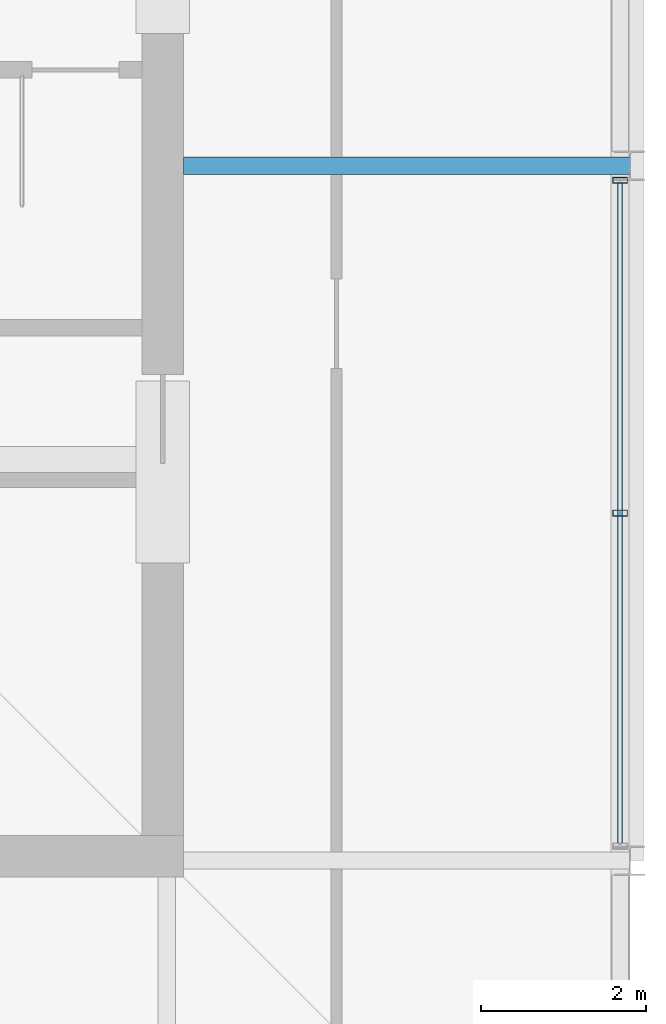
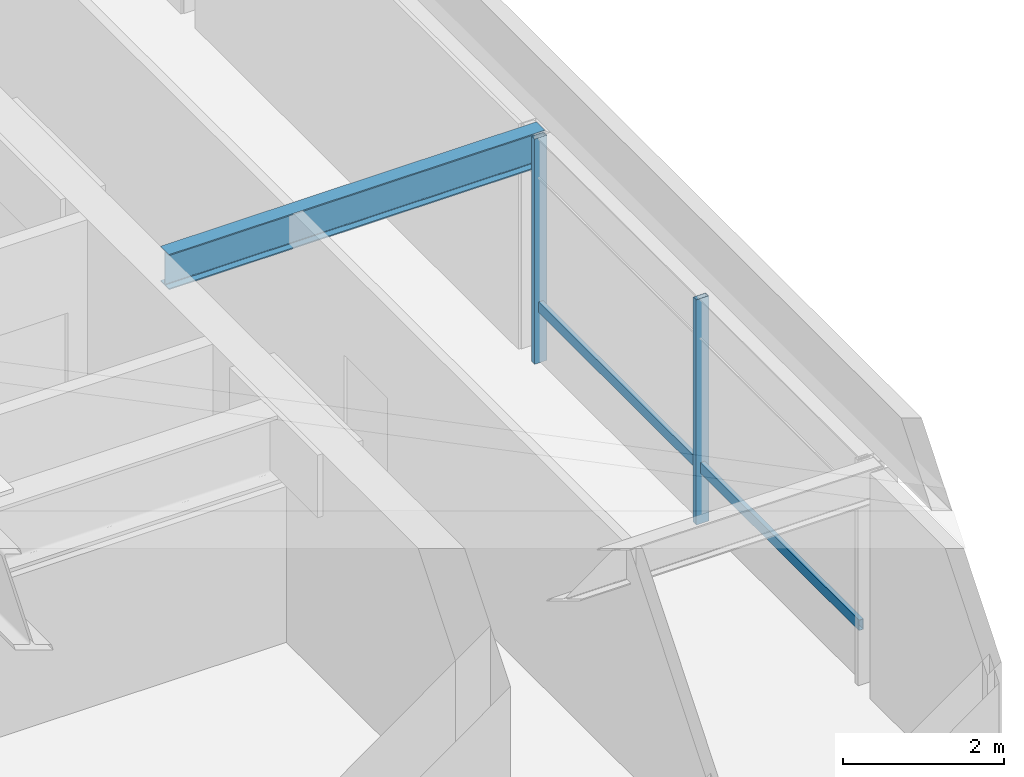
# One storey, part 8 of 13: 3 members, 1 beam, 1 element without a shape of its own.
"""IFC4 building model written with IfcOpenShell, lengths in metres."""

from ifc_helpers import new_model, si_unit, direction, frame, origin, origin_2d, place, context, subcontext, project, spatial, hollow_rectangle, i_section, extrude, material, layer, layer_set, material_profile, profile_set, type_object, element, aggregate, save


model = new_model("IFC4")

# Units and contexts
model_context = context("Model", 3, precision=1e-05, world=origin(), true_north=direction((0.0, 1.0)))
body_context = subcontext(model_context, "Body", "Model", "MODEL_VIEW")
ifc_project = project(units=[si_unit("LENGTHUNIT", "METRE"), si_unit("AREAUNIT", "SQUARE_METRE"), si_unit("VOLUMEUNIT", "CUBIC_METRE"), si_unit("PLANEANGLEUNIT", "RADIAN"), si_unit("MASSUNIT", "GRAM", prefix="KILO")], contexts=[model_context])

# Site, building, storey
site_placement = place(None, origin())
site = spatial("IfcSite", under=ifc_project, at=site_placement, CompositionType="ELEMENT")
building_placement = place(site_placement, origin())
building = spatial("IfcBuilding", under=site, at=building_placement, Name="Drelvath Grand Hotel", CompositionType="ELEMENT")
storey_placement = place(building_placement, frame((0.0, 0.0, 323.199951171875)))
storey = spatial("IfcBuildingStorey", under=building, at=storey_placement, Name="L84", CompositionType="ELEMENT", Elevation=323.199951171875)

# Curtain wall, members
ifc_material_1 = material(Name="Pale-Metal Anodised Aluminium Crown Frame", Category="aluminium")
ifc_layer = layer(ifc_material_1, 0.199951171875)
ifc_layer_set = layer_set([ifc_layer], Name="Pale-Metal Anodised Aluminium Crown Frame")
curtain_wall_type = type_object("IfcCurtainWallType", Name="Stick Curtain Wall CW-06 Pale-Metal Crown Clerestory", PredefinedType="NOTDEFINED", material=ifc_layer_set)
curtain_wall_placement = place(storey_placement, origin())
curtain_wall = element("IfcCurtainWall", 1, at=curtain_wall_placement, inside=storey, type_object=curtain_wall_type, Name="L84 CW-06 Curtain Wall CW06-L84-E", PredefinedType="NOTDEFINED")
ifc_material_profile_1 = material_profile(ifc_material_1, hollow_rectangle(XDim=0.06494140625, YDim=0.159912109375, WallThickness=0.00390625, at=origin_2d()), Name="HSS160X65X4")
ifc_profile_set_1 = profile_set([ifc_material_profile_1], Name="Pale-Metal Anodised Aluminium Crown Frame")
member_type_1 = type_object("IfcMemberType", Name="Curtain Wall Horizontal Transom CW-06 HSS160X65X4", PredefinedType="USERDEFINED", material=ifc_profile_set_1)
member_1_placement = place(storey_placement, frame((13.8798828125, 26.785888671875, 0.85009765625), z_axis=(0.0, -1.0, 0.0), x_axis=(1.0, 0.0, 0.0)))
member_1 = element("IfcMember", 2, at=member_1_placement, type_object=member_type_1, Name="CW06-L84-E Sill Transom", ObjectType="TRANSOM", PredefinedType="USERDEFINED", context=body_context, shape_type="SweptSolid", body=[
    extrude(hollow_rectangle(XDim=0.06494140625, YDim=0.159912109375, WallThickness=0.00390625, at=origin_2d()), origin(), (0.0, 0.0, 1.0), 7.971923828125),
])
ifc_material_profile_2 = material_profile(ifc_material_1, hollow_rectangle(XDim=0.074951171875, YDim=0.179931640625, WallThickness=0.0048828125, at=origin_2d()), Name="HSS180X75X5")
ifc_profile_set_2 = profile_set([ifc_material_profile_2], Name="Pale-Metal Anodised Aluminium Crown Frame")
member_type_2 = type_object("IfcMemberType", Name="Curtain Wall Vertical Mullion CW-06 HSS180X75X5", PredefinedType="MULLION", material=ifc_profile_set_2)
member_2_placement = place(storey_placement, frame((13.8798828125, 26.825927734375, 0.0), z_axis=(0.0, 0.0, 1.0), x_axis=(0.0, 1.0, 0.0)))
member_2 = element("IfcMember", 3, at=member_2_placement, type_object=member_type_2, Name="CW06-L84-E Mullion 1", PredefinedType="MULLION", context=body_context, shape_type="SweptSolid", body=[
    extrude(hollow_rectangle(XDim=0.074951171875, YDim=0.179931640625, WallThickness=0.0048828125, at=origin_2d()), origin(), (0.0, 0.0, 1.0), 3.420166015625),
])
member_3_placement = place(storey_placement, frame((13.8798828125, 22.800048828125, 0.0), z_axis=(0.0, 0.0, 1.0), x_axis=(0.0, 1.0, 0.0)))
member_3 = element("IfcMember", 4, at=member_3_placement, type_object=member_type_2, Name="CW06-L84-E Mullion 2", PredefinedType="MULLION", context=body_context, shape_type="SweptSolid", body=[
    extrude(hollow_rectangle(XDim=0.074951171875, YDim=0.179931640625, WallThickness=0.0048828125, at=origin_2d()), origin(), (0.0, 0.0, 1.0), 3.420166015625),
])
aggregate(curtain_wall, [member_2, member_3, member_1])

# Beam
ifc_material_2 = material(Name="Steel ASTM A992 Gr 50", Category="steel")
ifc_material_profile_3 = material_profile(ifc_material_2, i_section(OverallWidth=0.210205078125, OverallDepth=0.53662109375, WebThickness=0.010986328125, FlangeThickness=0.017333984375, FilletRadius=0.01806640625, at=origin_2d()), Name="W21X68")
ifc_profile_set_3 = profile_set([ifc_material_profile_3], Name="Steel ASTM A992 Gr 50")
beam_type = type_object("IfcBeamType", Name="Primary Floor Girder W21X68", PredefinedType="BEAM", material=ifc_profile_set_3)
beam_placement = place(storey_placement, frame((8.60009765625, 27.0, 3.15185546875), z_axis=(1.0, 0.0, 0.0), x_axis=(0.0, 1.0, 0.0)))
element("IfcBeam", 5, at=beam_placement, inside=storey, type_object=beam_type, Name="L84 Crown Drum Tie East E", PredefinedType="BEAM", context=body_context, shape_type="SweptSolid", body=[
    extrude(i_section(OverallWidth=0.210205078125, OverallDepth=0.53662109375, WebThickness=0.010986328125, FlangeThickness=0.017333984375, FilletRadius=0.01806640625, at=origin_2d()), origin(), (0.0, 0.0, 1.0), 5.39990234375),
])

save(model, "model.ifc")
